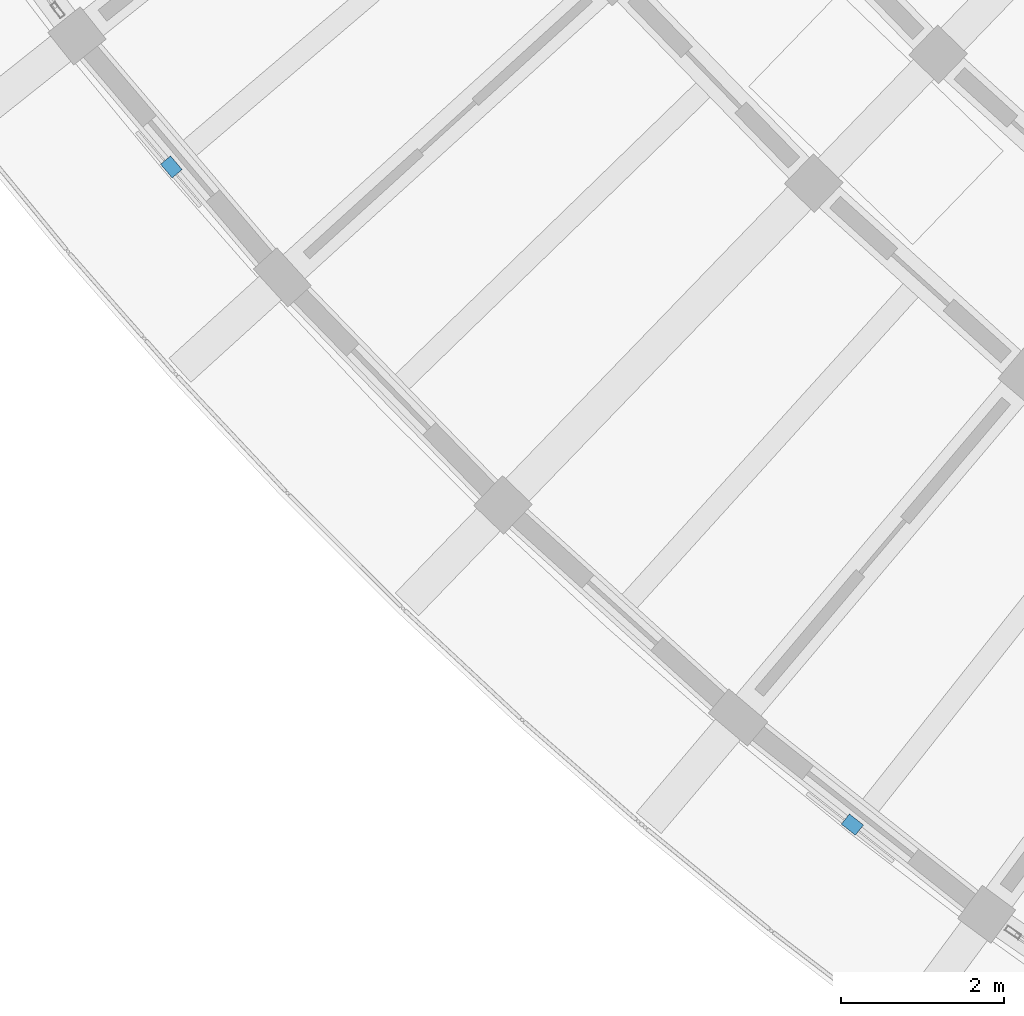
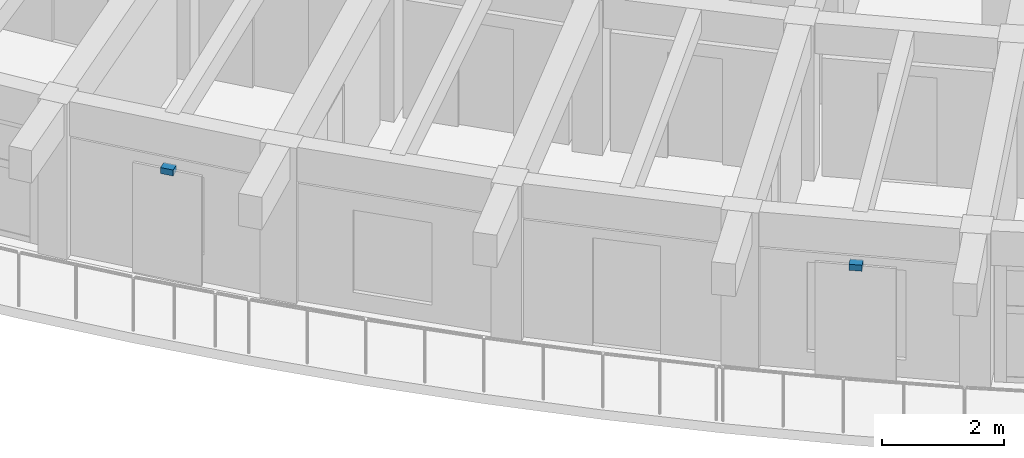
# One storey, part 46 of 62: 2 discrete accessories.
"""IFC4 building model written with IfcOpenShell, lengths in metres."""

from ifc_helpers import new_model, si_unit, direction, frame, origin, origin_2d, place, context, subcontext, project, spatial, rectangle, extrude, material, type_object, element, save


model = new_model("IFC4")

# Units and contexts
model_context = context("Model", 3, precision=1e-05, world=origin(), true_north=direction((0.0, 1.0)))
body_context = subcontext(model_context, "Body", "Model", "MODEL_VIEW")
ifc_project = project(units=[si_unit("LENGTHUNIT", "METRE"), si_unit("AREAUNIT", "SQUARE_METRE"), si_unit("VOLUMEUNIT", "CUBIC_METRE"), si_unit("PLANEANGLEUNIT", "RADIAN"), si_unit("MASSUNIT", "GRAM", prefix="KILO")], contexts=[model_context])

# Site, building, storey
site_placement = place(None, origin())
site = spatial("IfcSite", under=ifc_project, at=site_placement, CompositionType="ELEMENT")
building_placement = place(site_placement, origin())
building = spatial("IfcBuilding", under=site, at=building_placement, Name="Tanwirah Colonnade Gardens", CompositionType="ELEMENT")
storey_placement = place(building_placement, frame((0.0, 0.0, 32.360107421875)))
storey = spatial("IfcBuildingStorey", under=building, at=storey_placement, Name="L09", CompositionType="ELEMENT", Elevation=32.360107421875)

# Discrete accessories
ifc_material = material(Name="Steel S355", Category="steel")
discrete_accessory_type = type_object("IfcDiscreteAccessoryType", Name="BRK-SS1", PredefinedType="BRACKET", material=ifc_material)
for number, where, z_axis, x_axis, name in (
    (1, (19.555419921875, 25.818359375, 2.099853515625), (0.0, 0.0, 1.0), (0.647788628629, -0.761820118282, 0.0), "Solar screen support bracket C-L09-06"),
    (2, (27.927978515625, 17.733154296875, 2.14990234375), (0.0, 0.0, 1.0), (0.78396556, -0.620804317586, 0.0), "Solar screen support bracket C-L09-09"),
):
    element("IfcDiscreteAccessory", number, at=place(storey_placement, frame(where, z_axis=z_axis, x_axis=x_axis)), inside=storey, type_object=discrete_accessory_type, Name=name, PredefinedType="BRACKET", context=body_context, shape_type="SweptSolid", body=[
        extrude(rectangle(XDim=0.219970703125, YDim=0.159912109375, at=origin_2d()), origin(), (0.0, 0.0, 1.0), 0.1201171875),
    ])

save(model, "model.ifc")
